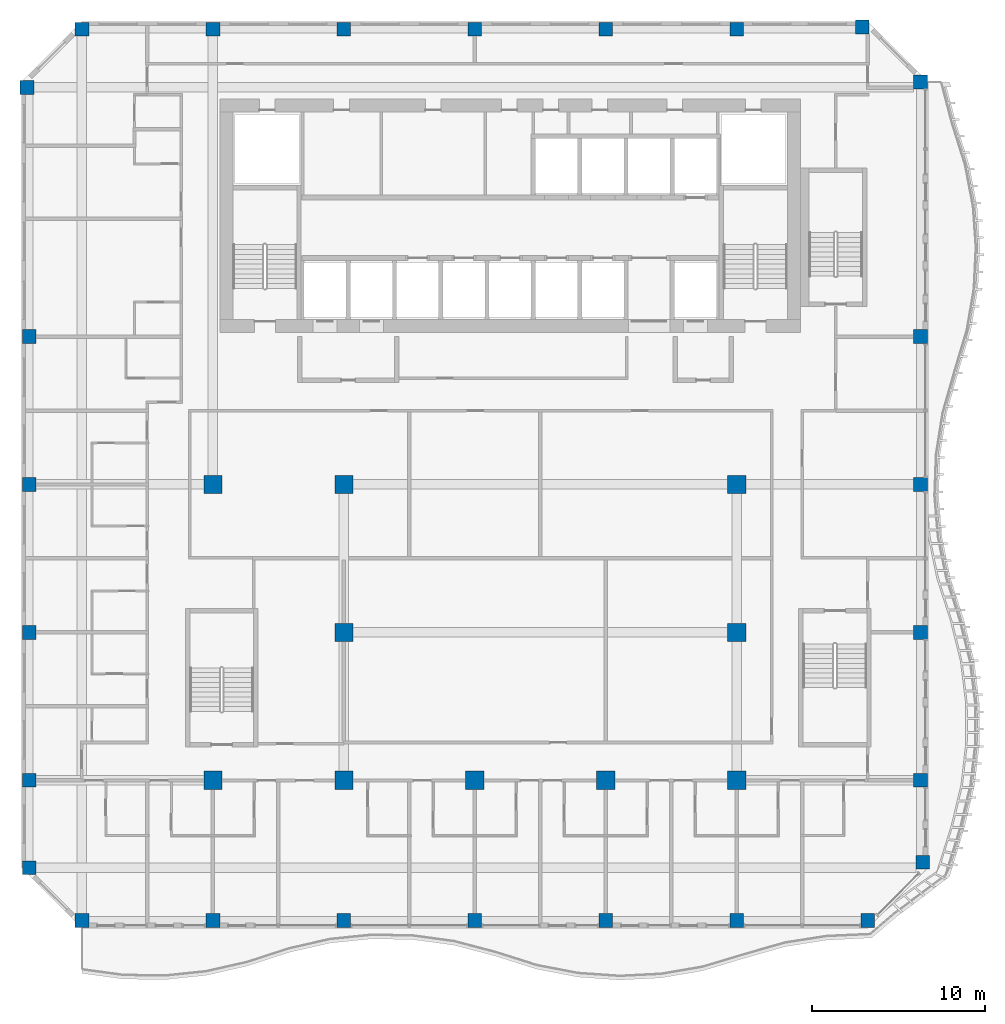
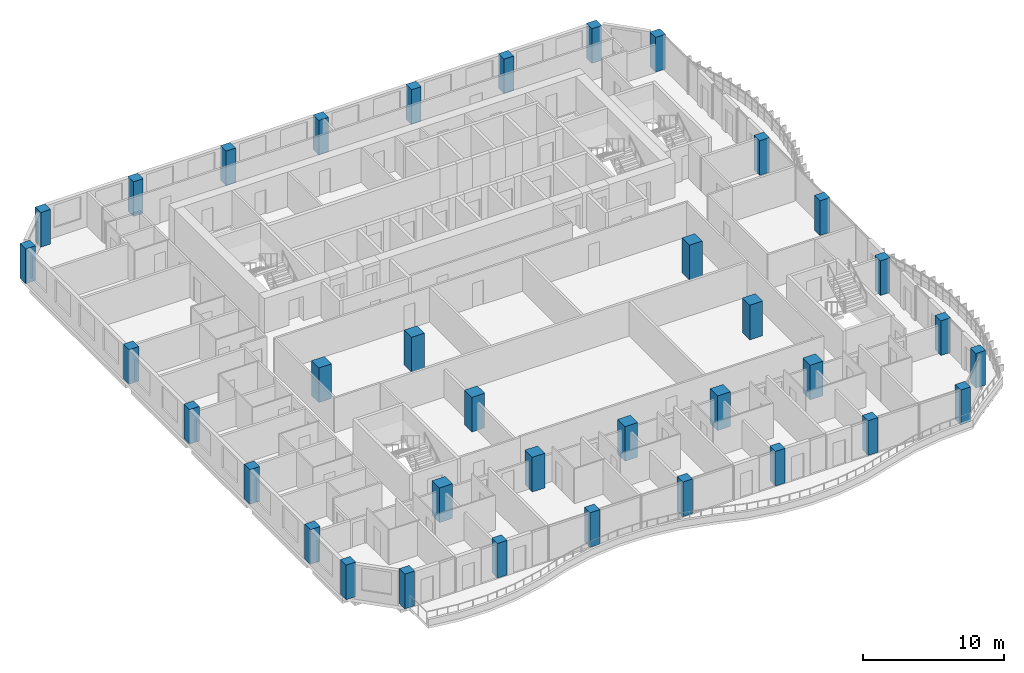
# One storey, part 1 of 24: 36 columns.
"""IFC4 building model written with IfcOpenShell, lengths in metres."""

from ifc_helpers import new_model, si_unit, direction, frame, origin, origin_2d, place, context, subcontext, project, spatial, rectangle, extrude, source, transform, mapped, material, material_profile, profile_set, type_object, element, save


model = new_model("IFC4")

# Units and contexts
model_context = context("Model", 3, precision=1e-05, world=origin(), true_north=direction((0.0, 1.0)))
body_context = subcontext(model_context, "Body", "Model", "MODEL_VIEW")
ifc_project = project(units=[si_unit("LENGTHUNIT", "METRE"), si_unit("AREAUNIT", "SQUARE_METRE"), si_unit("VOLUMEUNIT", "CUBIC_METRE"), si_unit("PLANEANGLEUNIT", "RADIAN"), si_unit("MASSUNIT", "GRAM", prefix="KILO")], contexts=[model_context])

# Site, building, storey
site_placement = place(None, origin())
site = spatial("IfcSite", under=ifc_project, at=site_placement, CompositionType="ELEMENT")
building_placement = place(site_placement, origin())
building = spatial("IfcBuilding", under=site, at=building_placement, Name="Kilnfold Tower and Market Hall", CompositionType="ELEMENT")
storey_placement = place(building_placement, frame((0.0, 0.0, 192.300048828125)))
storey = spatial("IfcBuildingStorey", under=building, at=storey_placement, Name="L46", CompositionType="ELEMENT", Elevation=192.300048828125)

# Columns
ifc_material_1 = material(Name="Concrete C70", Category="concrete")
ifc_material_profile_1 = material_profile(ifc_material_1, rectangle(XDim=0.800048828125, YDim=0.800048828125, at=origin_2d()), Name="RC 800x800")
ifc_profile_set_1 = profile_set([ifc_material_profile_1], Name="Concrete C70")
column_type_1 = type_object("IfcColumnType", Name="COLUMN 800X800 C70", PredefinedType="COLUMN", material=ifc_profile_set_1)
shared_shape_1 = source(origin(), body_context, "Body", "SweptSolid", [
    extrude(rectangle(XDim=0.800048828125, YDim=0.800048828125, at=origin_2d()), origin(), (0.0, 0.0, 1.0), 3.0),
])
for number, where, z_axis, x_axis, name in (
    (1, (-26.931884765625, 22.431884765625, 0.0), (0.0, 0.0, 1.0), (1.0, 0.0, 0.0), "Column C-B5-1H"),
    (2, (-26.800048828125, -22.75, 0.0), (0.0, 0.0, 1.0), (1.0, 0.0, 0.0), "Column C-B5-1B"),
    (3, (-26.800048828125, -17.6875, 0.0), (0.0, 0.0, 1.0), (1.0, 0.0, 0.0), "Column C-B5-1C"),
    (4, (-26.800048828125, -9.125, 0.0), (0.0, 0.0, 1.0), (1.0, 0.0, 0.0), "Column C-B5-1D"),
    (5, (-26.800048828125, -0.5625, 0.0), (0.0, 0.0, 1.0), (1.0, 0.0, 0.0), "Column C-B5-1E"),
    (6, (-26.800048828125, 8.0, 0.0), (0.0, 0.0, 1.0), (1.0, 0.0, 0.0), "Column C-B5-1F"),
    (7, (-23.75, -25.800048828125, 0.0), (0.0, 0.0, 1.0), (1.0, 0.0, 0.0), "Column C-B5-2A"),
    (8, (-23.75, 25.800048828125, 0.0), (0.0, 0.0, 1.0), (1.0, 0.0, 0.0), "Column C-B5-2I"),
    (9, (-16.166748046875, -25.800048828125, 0.0), (0.0, 0.0, 1.0), (1.0, 0.0, 0.0), "Column C-B5-3A"),
    (10, (-16.166748046875, 25.800048828125, 0.0), (0.0, 0.0, 1.0), (1.0, 0.0, 0.0), "Column C-B5-3I"),
    (11, (-8.583251953125, -25.800048828125, 0.0), (0.0, 0.0, 1.0), (1.0, 0.0, 0.0), "Column C-B5-4A"),
    (12, (-8.583251953125, 25.800048828125, 0.0), (0.0, 0.0, 1.0), (1.0, 0.0, 0.0), "Column C-B5-4I"),
    (13, (-1.0, -25.800048828125, 0.0), (0.0, 0.0, 1.0), (1.0, 0.0, 0.0), "Column C-B5-5A"),
    (14, (-1.0, 25.800048828125, 0.0), (0.0, 0.0, 1.0), (1.0, 0.0, 0.0), "Column C-B5-5I"),
    (15, (6.583251953125, -25.800048828125, 0.0), (0.0, 0.0, 1.0), (1.0, 0.0, 0.0), "Column C-B5-6A"),
    (16, (6.583251953125, 25.800048828125, 0.0), (0.0, 0.0, 1.0), (1.0, 0.0, 0.0), "Column C-B5-6I"),
    (17, (14.166748046875, -25.800048828125, 0.0), (0.0, 0.0, 1.0), (1.0, 0.0, 0.0), "Column C-B5-7A"),
    (18, (14.166748046875, 25.800048828125, 0.0), (0.0, 0.0, 1.0), (1.0, 0.0, 0.0), "Column C-B5-7I"),
    (19, (21.431884765625, 25.931884765625, 0.0), (0.0, 0.0, 1.0), (1.0, 0.0, 0.0), "Column C-B5-8I"),
    (20, (21.75, -25.800048828125, 0.0), (0.0, 0.0, 1.0), (1.0, 0.0, 0.0), "Column C-B5-8A"),
    (21, (24.800048828125, -17.6875, 0.0), (0.0, 0.0, 1.0), (1.0, 0.0, 0.0), "Column C-B5-9C"),
    (22, (24.800048828125, -9.125, 0.0), (0.0, 0.0, 1.0), (1.0, 0.0, 0.0), "Column C-B5-9D"),
    (23, (24.800048828125, -0.5625, 0.0), (0.0, 0.0, 1.0), (1.0, 0.0, 0.0), "Column C-B5-9E"),
    (24, (24.800048828125, 8.0, 0.0), (0.0, 0.0, 1.0), (1.0, 0.0, 0.0), "Column C-B5-9F"),
    (25, (24.800048828125, 22.75, 0.0), (0.0, 0.0, 1.0), (1.0, 0.0, 0.0), "Column C-B5-9H"),
    (26, (24.931884765625, -22.431884765625, 0.0), (0.0, 0.0, 1.0), (1.0, 0.0, 0.0), "Column C-B5-9B"),
):
    element("IfcColumn", number, at=place(storey_placement, frame(where, z_axis=z_axis, x_axis=x_axis)), inside=storey, type_object=column_type_1, Name=name, PredefinedType="COLUMN", context=body_context, shape_type="MappedRepresentation", body=[
        mapped(shared_shape_1, transform((0.0, 0.0, 0.0))),
    ])
ifc_material_2 = material(Name="Concrete C70", Category="concrete")
ifc_material_profile_2 = material_profile(ifc_material_2, rectangle(XDim=1.050048828125, YDim=1.050048828125, at=origin_2d()), Name="RC 1050x1050")
ifc_profile_set_2 = profile_set([ifc_material_profile_2], Name="Concrete C70")
column_type_2 = type_object("IfcColumnType", Name="COLUMN 1050X1050 C70", PredefinedType="COLUMN", material=ifc_profile_set_2)
shared_shape_2 = source(origin(), body_context, "Body", "SweptSolid", [
    extrude(rectangle(XDim=1.050048828125, YDim=1.050048828125, at=origin_2d()), origin(), (0.0, 0.0, 1.0), 3.0),
])
for number, where, z_axis, x_axis, name in (
    (27, (-16.166748046875, -17.6875, 0.0), (0.0, 0.0, 1.0), (1.0, 0.0, 0.0), "Column C-B5-3C"),
    (28, (-16.166748046875, -0.5625, 0.0), (0.0, 0.0, 1.0), (1.0, 0.0, 0.0), "Column C-B5-3E"),
    (29, (-8.583251953125, -17.6875, 0.0), (0.0, 0.0, 1.0), (1.0, 0.0, 0.0), "Column C-B5-4C"),
    (30, (-8.583251953125, -9.125, 0.0), (0.0, 0.0, 1.0), (1.0, 0.0, 0.0), "Column C-B5-4D"),
    (31, (-8.583251953125, -0.5625, 0.0), (0.0, 0.0, 1.0), (1.0, 0.0, 0.0), "Column C-B5-4E"),
    (32, (-1.0, -17.6875, 0.0), (0.0, 0.0, 1.0), (1.0, 0.0, 0.0), "Column C-B5-5C"),
    (33, (6.583251953125, -17.6875, 0.0), (0.0, 0.0, 1.0), (1.0, 0.0, 0.0), "Column C-B5-6C"),
    (34, (14.166748046875, -17.6875, 0.0), (0.0, 0.0, 1.0), (1.0, 0.0, 0.0), "Column C-B5-7C"),
    (35, (14.166748046875, -9.125, 0.0), (0.0, 0.0, 1.0), (1.0, 0.0, 0.0), "Column C-B5-7D"),
    (36, (14.166748046875, -0.5625, 0.0), (0.0, 0.0, 1.0), (1.0, 0.0, 0.0), "Column C-B5-7E"),
):
    element("IfcColumn", number, at=place(storey_placement, frame(where, z_axis=z_axis, x_axis=x_axis)), inside=storey, type_object=column_type_2, Name=name, PredefinedType="COLUMN", context=body_context, shape_type="MappedRepresentation", body=[
        mapped(shared_shape_2, transform((0.0, 0.0, 0.0))),
    ])

save(model, "model.ifc")
